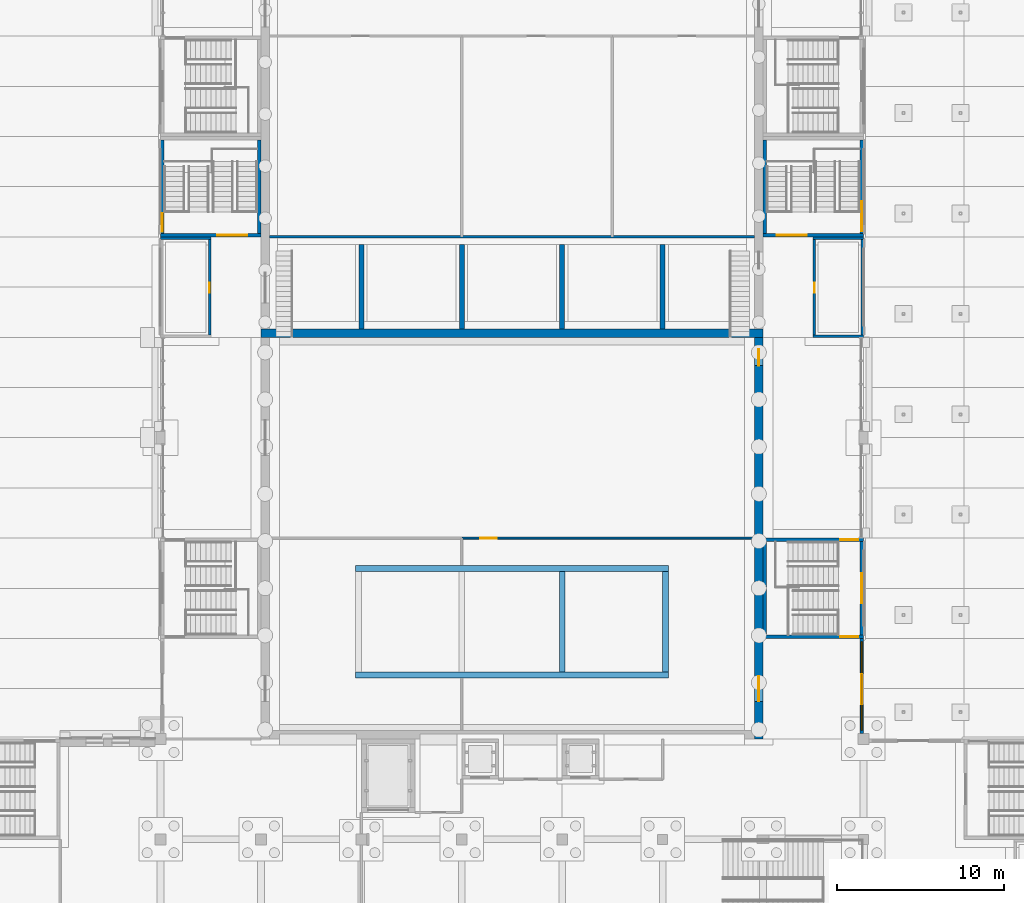
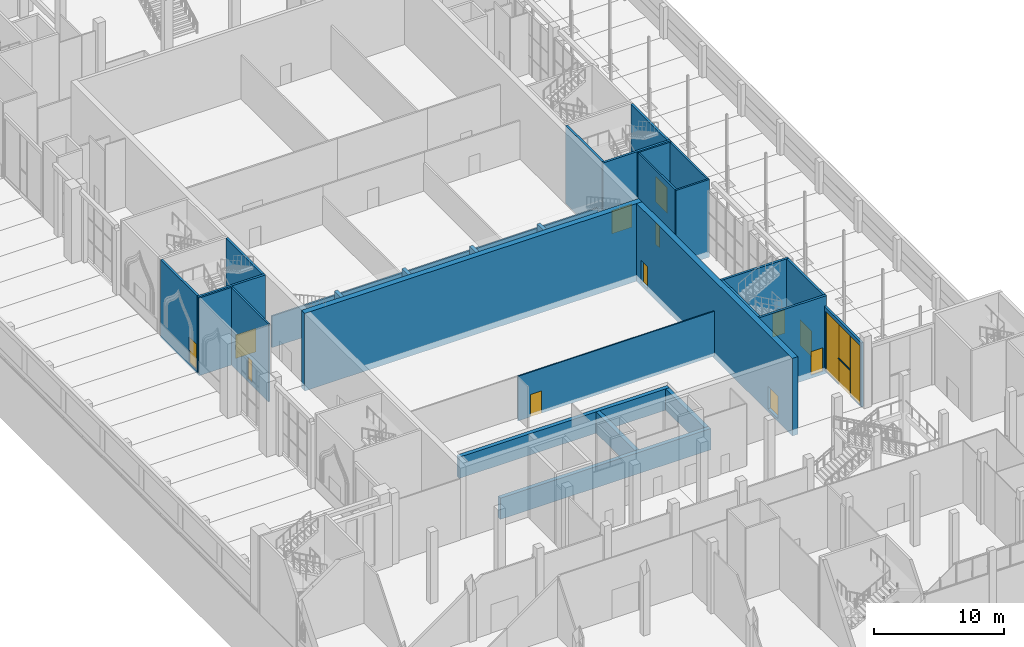
# One storey, part 44 of 95: 29 walls, 13 doors, 3 windows, 16 openings.
"""IFC4 building model written with IfcOpenShell, lengths in metres."""

from ifc_helpers import new_model, si_unit, direction, frame, frame_2d, origin, place, context, subcontext, project, spatial, rectangle, extrude, material, layer, layer_set, type_object, element, fill, save


model = new_model("IFC4")

# Units and contexts
model_context = context("Model", 3, precision=1e-05, world=origin(), true_north=direction((0.0, 1.0)))
body_context = subcontext(model_context, "Body", "Model", "MODEL_VIEW")
ifc_project = project(units=[si_unit("LENGTHUNIT", "METRE"), si_unit("AREAUNIT", "SQUARE_METRE"), si_unit("VOLUMEUNIT", "CUBIC_METRE"), si_unit("PLANEANGLEUNIT", "RADIAN"), si_unit("MASSUNIT", "GRAM", prefix="KILO")], contexts=[model_context])

# Site, building, storey
site_placement = place(None, origin())
site = spatial("IfcSite", under=ifc_project, at=site_placement, CompositionType="ELEMENT")
building_placement = place(site_placement, origin())
building = spatial("IfcBuilding", under=site, at=building_placement, Name="Saffron Lane Theatres", CompositionType="ELEMENT")
storey_placement = place(building_placement, origin())
storey = spatial("IfcBuildingStorey", under=building, at=storey_placement, Name="L00", CompositionType="ELEMENT", Elevation=0.0)

# Wall, openings, door, windows
ifc_material_1 = material(Name="Aluminium", Category="aluminium")
ifc_layer_1 = layer(ifc_material_1, 0.199951171875)
ifc_layer_set_1 = layer_set([ifc_layer_1], Name="Aluminium")
wall_type_1 = type_object("IfcWallType", Name="EX-SCREEN ALUMINIUM 200", PredefinedType="SOLIDWALL", material=ifc_layer_set_1)
wall_1_placement = place(storey_placement, frame((53.89990234375, 36.0, 0.0), z_axis=(0.0, 0.0, 1.0), x_axis=(0.0, -1.0, 0.0)))
wall_1 = element("IfcWall", 1, at=wall_1_placement, inside=storey, type_object=wall_type_1, Name="External wall L00 16", PredefinedType="SOLIDWALL", context=body_context, shape_type="SweptSolid", body=[
    extrude(rectangle(XDim=5.675048828125, YDim=0.199951171875, at=frame_2d((2.83740234375, 0.0))), origin(), (0.0, 0.0, 1.0), 6.050048828125),
])
opening_1_placement = place(wall_1_placement, frame((2.1298828125, 0.0, 0.0)))
opening_1 = element("IfcOpeningElement", 2, at=opening_1_placement, cuts=wall_1, Name="Opening ED00-07", PredefinedType="OPENING", context=body_context, shape_type="SweptSolid", body=[
    extrude(rectangle(XDim=1.800048828125, YDim=2.39990234375, at=frame_2d((0.89990234375, 1.199951171875))), frame((0.0, 0.10986328125, 0.0), z_axis=(0.0, -1.0, 0.0), x_axis=(1.0, 0.0, 0.0)), (0.0, 0.0, 1.0), 0.219970703125),
])
opening_2_placement = place(wall_1_placement, frame((2.1298828125, 0.0, 2.5)))
opening_2 = element("IfcOpeningElement", 3, at=opening_2_placement, cuts=wall_1, Name="Opening WN00-019", PredefinedType="OPENING", context=body_context, shape_type="SweptSolid", body=[
    extrude(rectangle(XDim=1.800048828125, YDim=3.199951171875, at=frame_2d((0.89990234375, 1.60009765625))), frame((0.0, 0.10986328125, 0.0), z_axis=(0.0, -1.0, 0.0), x_axis=(1.0, 0.0, 0.0)), (0.0, 0.0, 1.0), 0.219970703125),
])
opening_3_placement = place(wall_1_placement, frame((0.199951171875, 0.0, 0.10009765625)))
opening_3 = element("IfcOpeningElement", 4, at=opening_3_placement, cuts=wall_1, Name="Opening WN00-020", PredefinedType="OPENING", context=body_context, shape_type="SweptSolid", body=[
    extrude(rectangle(XDim=1.929931640625, YDim=5.60009765625, at=frame_2d((0.96484375, 2.800048828125))), frame((0.0, 0.10986328125, 0.0), z_axis=(0.0, -1.0, 0.0), x_axis=(1.0, 0.0, 0.0)), (0.0, 0.0, 1.0), 0.219970703125),
])
opening_4_placement = place(wall_1_placement, frame((3.929931640625, 0.0, 0.10009765625)))
opening_4 = element("IfcOpeningElement", 5, at=opening_4_placement, cuts=wall_1, Name="Opening WN00-021", PredefinedType="OPENING", context=body_context, shape_type="SweptSolid", body=[
    extrude(rectangle(XDim=1.544921875, YDim=5.60009765625, at=frame_2d((0.7724609375, 2.800048828125))), frame((0.0, 0.10986328125, 0.0), z_axis=(0.0, -1.0, 0.0), x_axis=(1.0, 0.0, 0.0)), (0.0, 0.0, 1.0), 0.219970703125),
])
ifc_material_2 = material(Name="Aluminium and glass door leaves", Category="aluminium")
door_type_1 = type_object("IfcDoorType", Name="EX-ENTRANCE DOOR PAIR 1800x2400", OperationType="DOUBLE_DOOR_SINGLE_SWING", PredefinedType="DOOR", material=ifc_material_2)
door_1_placement = place(opening_1_placement, origin())
door_1 = element("IfcDoor", 6, at=door_1_placement, inside=storey, type_object=door_type_1, Name="Stage Door Vestibule East door", OperationType="DOUBLE_DOOR_SINGLE_SWING", OverallHeight=2.39990234375, OverallWidth=1.800048828125, PredefinedType="DOOR", context=body_context, shape_type="SweptSolid", body=[
    extrude(rectangle(XDim=1.800048828125, YDim=2.39990234375, at=frame_2d((0.89990234375, 1.199951171875))), frame((0.0, 0.02490234375, 0.0), z_axis=(0.0, -1.0, 0.0), x_axis=(1.0, 0.0, 0.0)), (0.0, 0.0, 1.0), 0.050048828125),
])
fill(opening_1, door_1)
ifc_material_3 = material(Name="Aluminium", Category="aluminium")
window_type_1 = type_object("IfcWindowType", Name="EX-WINDOW 1545x5600", PartitioningType="SINGLE_PANEL", PredefinedType="WINDOW", material=ifc_material_3)
window_1_placement = place(opening_4_placement, origin())
window_1 = element("IfcWindow", 7, at=window_1_placement, inside=storey, type_object=window_type_1, Name="Window L00 021", OverallHeight=5.60009765625, OverallWidth=1.544921875, PartitioningType="SINGLE_PANEL", PredefinedType="WINDOW", context=body_context, shape_type="SweptSolid", body=[
    extrude(rectangle(XDim=1.544921875, YDim=5.60009765625, at=frame_2d((0.7724609375, 2.800048828125))), frame((0.0, 0.030029296875, 0.0), z_axis=(0.0, -1.0, 0.0), x_axis=(1.0, 0.0, 0.0)), (0.0, 0.0, 1.0), 0.06005859375),
])
fill(opening_4, window_1)
ifc_material_4 = material(Name="Aluminium", Category="aluminium")
window_type_2 = type_object("IfcWindowType", Name="EX-WINDOW 1800x3200", PartitioningType="SINGLE_PANEL", PredefinedType="WINDOW", material=ifc_material_4)
window_2_placement = place(opening_2_placement, origin())
window_2 = element("IfcWindow", 8, at=window_2_placement, inside=storey, type_object=window_type_2, Name="Window L00 019", OverallHeight=3.199951171875, OverallWidth=1.800048828125, PartitioningType="SINGLE_PANEL", PredefinedType="WINDOW", context=body_context, shape_type="SweptSolid", body=[
    extrude(rectangle(XDim=1.800048828125, YDim=3.199951171875, at=frame_2d((0.89990234375, 1.60009765625))), frame((0.0, 0.030029296875, 0.0), z_axis=(0.0, -1.0, 0.0), x_axis=(1.0, 0.0, 0.0)), (0.0, 0.0, 1.0), 0.06005859375),
])
fill(opening_2, window_2)
ifc_material_5 = material(Name="Aluminium", Category="aluminium")
window_type_3 = type_object("IfcWindowType", Name="EX-WINDOW 1930x5600", PartitioningType="SINGLE_PANEL", PredefinedType="WINDOW", material=ifc_material_5)
window_3_placement = place(opening_3_placement, origin())
window_3 = element("IfcWindow", 9, at=window_3_placement, inside=storey, type_object=window_type_3, Name="Window L00 020", OverallHeight=5.60009765625, OverallWidth=1.929931640625, PartitioningType="SINGLE_PANEL", PredefinedType="WINDOW", context=body_context, shape_type="SweptSolid", body=[
    extrude(rectangle(XDim=1.929931640625, YDim=5.60009765625, at=frame_2d((0.96484375, 2.800048828125))), frame((0.0, 0.030029296875, 0.0), z_axis=(0.0, -1.0, 0.0), x_axis=(1.0, 0.0, 0.0)), (0.0, 0.0, 1.0), 0.06005859375),
])
fill(opening_3, window_3)

# Wall, opening, door
ifc_material_6 = material(Name="Masonry block partition", Category="masonry")
ifc_layer_2 = layer(ifc_material_6, 0.110107421875)
ifc_layer_set_2 = layer_set([ifc_layer_2], Name="Masonry block partition")
wall_type_2 = type_object("IfcWallType", Name="IN-BLOCK PARTITION 110", PredefinedType="PARTITIONING", material=ifc_layer_set_2)
wall_2_placement = place(storey_placement, frame((30.0, 42.0, 0.0), z_axis=(0.0, 0.0, 1.0), x_axis=(1.0, 0.0, 0.0)))
wall_2 = element("IfcWall", 10, at=wall_2_placement, inside=storey, type_object=wall_type_2, Name="PW-L00-004", PredefinedType="PARTITIONING", context=body_context, shape_type="SweptSolid", body=[
    extrude(rectangle(XDim=17.47998046875, YDim=0.110107421875, at=frame_2d((8.739990234375, 0.0))), origin(), (0.0, 0.0, 1.0), 4.199951171875),
])
opening_5_placement = place(wall_2_placement, frame((1.10009765625, 0.0, 0.0)))
opening_5 = element("IfcOpeningElement", 11, at=opening_5_placement, cuts=wall_2, Name="Opening D00-66", PredefinedType="OPENING", context=body_context, shape_type="SweptSolid", body=[
    extrude(rectangle(XDim=1.0, YDim=2.10009765625, at=frame_2d((0.5, 1.050048828125))), frame((0.0, 0.06494140625, 0.0), z_axis=(0.0, -1.0, 0.0), x_axis=(1.0, 0.0, 0.0)), (0.0, 0.0, 1.0), 0.130126953125),
])
ifc_material_7 = material(Name="Steel faced fire door leaf", Category="steel")
door_type_2 = type_object("IfcDoorType", Name="IN-DOOR 1000x2100 FD60", OperationType="NOTDEFINED", PredefinedType="DOOR", material=ifc_material_7)
door_2_placement = place(opening_5_placement, origin())
door_2 = element("IfcDoor", 12, at=door_2_placement, inside=storey, type_object=door_type_2, Name="D00-66", OperationType="SINGLE_SWING_RIGHT", OverallHeight=2.10009765625, OverallWidth=1.0, PredefinedType="DOOR", context=body_context, shape_type="SweptSolid", body=[
    extrude(rectangle(XDim=1.0, YDim=2.10009765625, at=frame_2d((0.5, 1.050048828125))), frame((0.0, 0.02490234375, 0.0), z_axis=(0.0, -1.0, 0.0), x_axis=(1.0, 0.0, 0.0)), (0.0, 0.0, 1.0), 0.050048828125),
])
fill(opening_5, door_2)

# Walls
ifc_material_8 = material(Name="Masonry block partition", Category="masonry")
ifc_layer_3 = layer(ifc_material_8, 0.139892578125)
ifc_layer_set_3 = layer_set([ifc_layer_3], Name="Masonry block partition")
wall_type_3 = type_object("IfcWallType", Name="IN-BLOCK PARTITION 140", PredefinedType="PARTITIONING", material=ifc_layer_set_3)
wall_3_placement = place(storey_placement, frame((18.52001953125, 60.0, 0.0), z_axis=(0.0, 0.0, 1.0), x_axis=(1.0, 0.0, 0.0)))
element("IfcWall", 13, at=wall_3_placement, inside=storey, type_object=wall_type_3, Name="PW-L00-058", PredefinedType="PARTITIONING", context=body_context, shape_type="SweptSolid", body=[
    extrude(rectangle(XDim=28.9599609375, YDim=0.139892578125, at=frame_2d((14.47998046875, 0.0))), origin(), (0.0, 0.0, 1.0), 2.964111328125),
])
ifc_material_9 = material(Name="Concrete N50 (50 MPa)", Category="concrete")
ifc_layer_4 = layer(ifc_material_9, 0.14990234375)
ifc_layer_set_4 = layer_set([ifc_layer_4], Name="Concrete N50 (50 MPa)")
wall_type_4 = type_object("IfcWallType", Name="RC-CORE 150", PredefinedType="SHEAR", material=ifc_layer_set_4)
wall_4_placement = place(storey_placement, frame((12.0, 59.925048828125, -0.300048828125), z_axis=(0.0, 0.0, 1.0), x_axis=(1.0, 0.0, 0.0)))
element("IfcWall", 14, at=wall_4_placement, inside=storey, type_object=wall_type_4, Name="W-R3-N-L00", PredefinedType="SHEAR", context=body_context, shape_type="SweptSolid", body=[
    extrude(rectangle(XDim=3.0, YDim=0.14990234375, at=frame_2d((1.5, 0.0))), origin(), (0.0, 0.0, 1.0), 7.300048828125),
])

# Wall, opening, door
wall_5_placement = place(storey_placement, frame((14.925048828125, 54.14990234375, -0.300048828125), z_axis=(0.0, 0.0, 1.0), x_axis=(0.0, 1.0, 0.0)))
wall_5 = element("IfcWall", 15, at=wall_5_placement, inside=storey, type_object=wall_type_4, Name="W-R3-E-L00", PredefinedType="SHEAR", context=body_context, shape_type="SweptSolid", body=[
    extrude(rectangle(XDim=5.7001953125, YDim=0.14990234375, at=frame_2d((2.85009765625, 0.0))), origin(), (0.0, 0.0, 1.0), 7.300048828125),
])
opening_6_placement = place(wall_5_placement, frame((2.5, 0.0, 0.300048828125)))
opening_6 = element("IfcOpeningElement", 16, at=opening_6_placement, cuts=wall_5, Name="Opening D00-53", PredefinedType="OPENING", context=body_context, shape_type="SweptSolid", body=[
    extrude(rectangle(XDim=0.60009765625, YDim=2.0400390625, at=frame_2d((0.300048828125, 1.02001953125))), frame((0.0, 0.0849609375, 0.0), z_axis=(0.0, -1.0, 0.0), x_axis=(1.0, 0.0, 0.0)), (0.0, 0.0, 1.0), 0.169921875),
])
ifc_material_10 = material(Name="Steel faced fire door leaf", Category="steel")
door_type_3 = type_object("IfcDoorType", Name="IN-DOOR 600x2040 FD120", OperationType="NOTDEFINED", PredefinedType="DOOR", material=ifc_material_10)
door_3_placement = place(opening_6_placement, origin())
door_3 = element("IfcDoor", 17, at=door_3_placement, inside=storey, type_object=door_type_3, Name="D00-53", OperationType="SINGLE_SWING_RIGHT", OverallHeight=2.0400390625, OverallWidth=0.60009765625, PredefinedType="DOOR", context=body_context, shape_type="SweptSolid", body=[
    extrude(rectangle(XDim=0.60009765625, YDim=2.0400390625, at=frame_2d((0.300048828125, 1.02001953125))), frame((0.0, 0.02490234375, 0.0), z_axis=(0.0, -1.0, 0.0), x_axis=(1.0, 0.0, 0.0)), (0.0, 0.0, 1.0), 0.050048828125),
])
fill(opening_6, door_3)

# Walls
for number, where, z_axis, x_axis, name in (
    (18, (51.0, 59.925048828125, -0.300048828125), (0.0, 0.0, 1.0), (1.0, 0.0, 0.0), "W-R4-N-L00"),
    (19, (51.0, 54.074951171875, -0.300048828125), (0.0, 0.0, 1.0), (1.0, 0.0, 0.0), "W-R4-S-L00"),
):
    element("IfcWall", number, at=place(storey_placement, frame(where, z_axis=z_axis, x_axis=x_axis)), inside=storey, type_object=wall_type_4, Name=name, PredefinedType="SHEAR", context=body_context, shape_type="SweptSolid", body=[
        extrude(rectangle(XDim=3.0, YDim=0.14990234375, at=frame_2d((1.5, 0.0))), origin(), (0.0, 0.0, 1.0), 7.300048828125),
    ])

# Wall, opening, door
wall_6_placement = place(storey_placement, frame((51.074951171875, 54.14990234375, -0.300048828125), z_axis=(0.0, 0.0, 1.0), x_axis=(0.0, 1.0, 0.0)))
wall_6 = element("IfcWall", 20, at=wall_6_placement, inside=storey, type_object=wall_type_4, Name="W-R4-W-L00", PredefinedType="SHEAR", context=body_context, shape_type="SweptSolid", body=[
    extrude(rectangle(XDim=5.7001953125, YDim=0.14990234375, at=frame_2d((2.85009765625, 0.0))), origin(), (0.0, 0.0, 1.0), 7.300048828125),
])
opening_7_placement = place(wall_6_placement, frame((2.5, 0.0, 0.300048828125)))
opening_7 = element("IfcOpeningElement", 21, at=opening_7_placement, cuts=wall_6, Name="Opening D00-54", PredefinedType="OPENING", context=body_context, shape_type="SweptSolid", body=[
    extrude(rectangle(XDim=0.60009765625, YDim=2.0400390625, at=frame_2d((0.300048828125, 1.02001953125))), frame((0.0, 0.0849609375, 0.0), z_axis=(0.0, -1.0, 0.0), x_axis=(1.0, 0.0, 0.0)), (0.0, 0.0, 1.0), 0.169921875),
])
door_4_placement = place(opening_7_placement, frame((0.60009765625, 0.0, 0.0), z_axis=(0.0, 0.0, 1.0), x_axis=(-1.0, 0.0, 0.0)))
door_4 = element("IfcDoor", 22, at=door_4_placement, inside=storey, type_object=door_type_3, Name="D00-54", OperationType="SINGLE_SWING_LEFT", OverallHeight=2.0400390625, OverallWidth=0.60009765625, PredefinedType="DOOR", context=body_context, shape_type="SweptSolid", body=[
    extrude(rectangle(XDim=0.60009765625, YDim=2.0400390625, at=frame_2d((0.300048828125, 1.02001953125))), frame((0.0, 0.02490234375, 0.0), z_axis=(0.0, -1.0, 0.0), x_axis=(1.0, 0.0, 0.0)), (0.0, 0.0, 1.0), 0.050048828125),
])
fill(opening_7, door_4)

ifc_material_11 = material(Name="Concrete N50 (50 MPa)", Category="concrete")
ifc_layer_5 = layer(ifc_material_11, 0.199951171875)
ifc_layer_set_5 = layer_set([ifc_layer_5], Name="Concrete N50 (50 MPa)")
wall_type_5 = type_object("IfcWallType", Name="RC-CORE 200", PredefinedType="SHEAR", material=ifc_layer_set_5)
wall_7_placement = place(storey_placement, frame((12.0, 60.10009765625, -0.300048828125), z_axis=(0.0, 0.0, 1.0), x_axis=(1.0, 0.0, 0.0)))
wall_7 = element("IfcWall", 23, at=wall_7_placement, inside=storey, type_object=wall_type_5, Name="W-ST10-S-L00", PredefinedType="SHEAR", context=body_context, shape_type="SweptSolid", body=[
    extrude(rectangle(XDim=6.0, YDim=0.199951171875, at=frame_2d((3.0, 0.0))), origin(), (0.0, 0.0, 1.0), 7.300048828125),
])
opening_8_placement = place(wall_7_placement, frame((3.375, 0.0, 0.300048828125)))
opening_8 = element("IfcOpeningElement", 24, at=opening_8_placement, cuts=wall_7, Name="Opening D00-37", PredefinedType="OPENING", context=body_context, shape_type="SweptSolid", body=[
    extrude(rectangle(XDim=1.800048828125, YDim=2.199951171875, at=frame_2d((0.89990234375, 1.10009765625))), frame((0.0, 0.10986328125, 0.0), z_axis=(0.0, -1.0, 0.0), x_axis=(1.0, 0.0, 0.0)), (0.0, 0.0, 1.0), 0.219970703125),
])
ifc_material_12 = material(Name="Steel faced fire door leaf", Category="steel")
door_type_4 = type_object("IfcDoorType", Name="IN-DOOR 1800x2200 FD120", OperationType="DOUBLE_DOOR_SINGLE_SWING", PredefinedType="DOOR", material=ifc_material_12)
door_5_placement = place(opening_8_placement, origin())
door_5 = element("IfcDoor", 25, at=door_5_placement, inside=storey, type_object=door_type_4, Name="D00-37", OperationType="DOUBLE_DOOR_SINGLE_SWING", OverallHeight=2.199951171875, OverallWidth=1.800048828125, PredefinedType="DOOR", context=body_context, shape_type="SweptSolid", body=[
    extrude(rectangle(XDim=1.800048828125, YDim=2.199951171875, at=frame_2d((0.89990234375, 1.10009765625))), frame((0.0, 0.02490234375, 0.0), z_axis=(0.0, -1.0, 0.0), x_axis=(1.0, 0.0, 0.0)), (0.0, 0.0, 1.0), 0.050048828125),
])
fill(opening_8, door_5)

# Wall
wall_8_placement = place(storey_placement, frame((17.89990234375, 60.199951171875, -0.300048828125), z_axis=(0.0, 0.0, 1.0), x_axis=(0.0, 1.0, 0.0)))
element("IfcWall", 26, at=wall_8_placement, inside=storey, type_object=wall_type_5, Name="W-ST10-E-L00", PredefinedType="SHEAR", context=body_context, shape_type="SweptSolid", body=[
    extrude(rectangle(XDim=5.60009765625, YDim=0.199951171875, at=frame_2d((2.800048828125, 0.0))), origin(), (0.0, 0.0, 1.0), 7.300048828125),
])

# Wall, opening, door
wall_9_placement = place(storey_placement, frame((48.0, 60.10009765625, -0.300048828125), z_axis=(0.0, 0.0, 1.0), x_axis=(1.0, 0.0, 0.0)))
wall_9 = element("IfcWall", 27, at=wall_9_placement, inside=storey, type_object=wall_type_5, Name="W-ST11-S-L00", PredefinedType="SHEAR", context=body_context, shape_type="SweptSolid", body=[
    extrude(rectangle(XDim=6.0, YDim=0.199951171875, at=frame_2d((3.0, 0.0))), origin(), (0.0, 0.0, 1.0), 7.300048828125),
])
opening_9_placement = place(wall_9_placement, frame((0.824951171875, 0.0, 0.300048828125)))
opening_9 = element("IfcOpeningElement", 28, at=opening_9_placement, cuts=wall_9, Name="Opening D00-38", PredefinedType="OPENING", context=body_context, shape_type="SweptSolid", body=[
    extrude(rectangle(XDim=1.800048828125, YDim=2.199951171875, at=frame_2d((0.89990234375, 1.10009765625))), frame((0.0, 0.10986328125, 0.0), z_axis=(0.0, -1.0, 0.0), x_axis=(1.0, 0.0, 0.0)), (0.0, 0.0, 1.0), 0.219970703125),
])
door_6_placement = place(opening_9_placement, origin())
door_6 = element("IfcDoor", 29, at=door_6_placement, inside=storey, type_object=door_type_4, Name="D00-38", OperationType="DOUBLE_DOOR_SINGLE_SWING", OverallHeight=2.199951171875, OverallWidth=1.800048828125, PredefinedType="DOOR", context=body_context, shape_type="SweptSolid", body=[
    extrude(rectangle(XDim=1.800048828125, YDim=2.199951171875, at=frame_2d((0.89990234375, 1.10009765625))), frame((0.0, 0.02490234375, 0.0), z_axis=(0.0, -1.0, 0.0), x_axis=(1.0, 0.0, 0.0)), (0.0, 0.0, 1.0), 0.050048828125),
])
fill(opening_9, door_6)

# Wall
wall_10_placement = place(storey_placement, frame((48.10009765625, 60.199951171875, -0.300048828125), z_axis=(0.0, 0.0, 1.0), x_axis=(0.0, 1.0, 0.0)))
element("IfcWall", 30, at=wall_10_placement, inside=storey, type_object=wall_type_5, Name="W-ST11-W-L00", PredefinedType="SHEAR", context=body_context, shape_type="SweptSolid", body=[
    extrude(rectangle(XDim=5.60009765625, YDim=0.199951171875, at=frame_2d((2.800048828125, 0.0))), origin(), (0.0, 0.0, 1.0), 7.300048828125),
])

# Wall, opening, door
wall_11_placement = place(storey_placement, frame((48.0, 41.89990234375, -0.300048828125), z_axis=(0.0, 0.0, 1.0), x_axis=(1.0, 0.0, 0.0)))
wall_11 = element("IfcWall", 31, at=wall_11_placement, inside=storey, type_object=wall_type_5, Name="W-ST6-N-L00", PredefinedType="SHEAR", context=body_context, shape_type="SweptSolid", body=[
    extrude(rectangle(XDim=6.0, YDim=0.199951171875, at=frame_2d((3.0, 0.0))), origin(), (0.0, 0.0, 1.0), 7.300048828125),
])
opening_10_placement = place(wall_11_placement, frame((4.60009765625, 0.0, 0.300048828125)))
opening_10 = element("IfcOpeningElement", 32, at=opening_10_placement, cuts=wall_11, Name="Opening D00-42", PredefinedType="OPENING", context=body_context, shape_type="SweptSolid", body=[
    extrude(rectangle(XDim=1.10009765625, YDim=2.199951171875, at=frame_2d((0.550048828125, 1.10009765625))), frame((0.0, 0.10986328125, 0.0), z_axis=(0.0, -1.0, 0.0), x_axis=(1.0, 0.0, 0.0)), (0.0, 0.0, 1.0), 0.219970703125),
])
ifc_material_13 = material(Name="Steel faced fire door leaf", Category="steel")
door_type_5 = type_object("IfcDoorType", Name="IN-DOOR 1100x2200 FD120", OperationType="NOTDEFINED", PredefinedType="DOOR", material=ifc_material_13)
door_7_placement = place(opening_10_placement, frame((1.10009765625, 0.0, 0.0), z_axis=(0.0, 0.0, 1.0), x_axis=(-1.0, 0.0, 0.0)))
door_7 = element("IfcDoor", 33, at=door_7_placement, inside=storey, type_object=door_type_5, Name="D00-42", OperationType="SINGLE_SWING_RIGHT", OverallHeight=2.199951171875, OverallWidth=1.10009765625, PredefinedType="DOOR", context=body_context, shape_type="SweptSolid", body=[
    extrude(rectangle(XDim=1.10009765625, YDim=2.199951171875, at=frame_2d((0.550048828125, 1.10009765625))), frame((0.0, 0.02490234375, 0.0), z_axis=(0.0, -1.0, 0.0), x_axis=(1.0, 0.0, 0.0)), (0.0, 0.0, 1.0), 0.050048828125),
])
fill(opening_10, door_7)

wall_12_placement = place(storey_placement, frame((48.0, 36.10009765625, -0.300048828125), z_axis=(0.0, 0.0, 1.0), x_axis=(1.0, 0.0, 0.0)))
wall_12 = element("IfcWall", 34, at=wall_12_placement, inside=storey, type_object=wall_type_5, Name="W-ST6-S-L00", PredefinedType="SHEAR", context=body_context, shape_type="SweptSolid", body=[
    extrude(rectangle(XDim=6.0, YDim=0.199951171875, at=frame_2d((3.0, 0.0))), origin(), (0.0, 0.0, 1.0), 7.300048828125),
])
opening_11_placement = place(wall_12_placement, frame((4.60009765625, 0.0, 0.300048828125)))
opening_11 = element("IfcOpeningElement", 35, at=opening_11_placement, cuts=wall_12, Name="Opening D00-41", PredefinedType="OPENING", context=body_context, shape_type="SweptSolid", body=[
    extrude(rectangle(XDim=1.10009765625, YDim=2.199951171875, at=frame_2d((0.550048828125, 1.10009765625))), frame((0.0, 0.10986328125, 0.0), z_axis=(0.0, -1.0, 0.0), x_axis=(1.0, 0.0, 0.0)), (0.0, 0.0, 1.0), 0.219970703125),
])
door_8_placement = place(opening_11_placement, origin())
door_8 = element("IfcDoor", 36, at=door_8_placement, inside=storey, type_object=door_type_5, Name="D00-41", OperationType="SINGLE_SWING_LEFT", OverallHeight=2.199951171875, OverallWidth=1.10009765625, PredefinedType="DOOR", context=body_context, shape_type="SweptSolid", body=[
    extrude(rectangle(XDim=1.10009765625, YDim=2.199951171875, at=frame_2d((0.550048828125, 1.10009765625))), frame((0.0, 0.02490234375, 0.0), z_axis=(0.0, -1.0, 0.0), x_axis=(1.0, 0.0, 0.0)), (0.0, 0.0, 1.0), 0.050048828125),
])
fill(opening_11, door_8)

# Walls
wall_13_placement = place(storey_placement, frame((48.10009765625, 36.199951171875, -0.300048828125), z_axis=(0.0, 0.0, 1.0), x_axis=(0.0, 1.0, 0.0)))
element("IfcWall", 37, at=wall_13_placement, inside=storey, type_object=wall_type_5, Name="W-ST6-W-L00", PredefinedType="SHEAR", context=body_context, shape_type="SweptSolid", body=[
    extrude(rectangle(XDim=5.60009765625, YDim=0.199951171875, at=frame_2d((2.800048828125, 0.0))), origin(), (0.0, 0.0, 1.0), 7.300048828125),
])
ifc_material_14 = material(Name="Concrete N50 (50 MPa)", Category="concrete")
ifc_layer_6 = layer(ifc_material_14, 0.14990234375)
ifc_layer_set_6 = layer_set([ifc_layer_6], Name="Concrete N50 (50 MPa)")
wall_type_6 = type_object("IfcWallType", Name="RC-CORE EXTERNAL 150", PredefinedType="SHEAR", material=ifc_layer_set_6)
wall_14_placement = place(storey_placement, frame((53.925048828125, 54.14990234375, -0.300048828125), z_axis=(0.0, 0.0, 1.0), x_axis=(0.0, 1.0, 0.0)))
element("IfcWall", 38, at=wall_14_placement, inside=storey, type_object=wall_type_6, Name="W-R4-E-L00", PredefinedType="SHEAR", context=body_context, shape_type="SweptSolid", body=[
    extrude(rectangle(XDim=5.7001953125, YDim=0.14990234375, at=frame_2d((2.85009765625, 0.0))), origin(), (0.0, 0.0, 1.0), 7.300048828125),
])

# Wall, opening, door
ifc_material_15 = material(Name="Concrete N50 (50 MPa)", Category="concrete")
ifc_layer_7 = layer(ifc_material_15, 0.199951171875)
ifc_layer_set_7 = layer_set([ifc_layer_7], Name="Concrete N50 (50 MPa)")
wall_type_7 = type_object("IfcWallType", Name="RC-CORE EXTERNAL 200", PredefinedType="SHEAR", material=ifc_layer_set_7)
wall_15_placement = place(storey_placement, frame((12.10009765625, 60.199951171875, -0.300048828125), z_axis=(0.0, 0.0, 1.0), x_axis=(0.0, 1.0, 0.0)))
wall_15 = element("IfcWall", 39, at=wall_15_placement, inside=storey, type_object=wall_type_7, Name="W-ST10-W-L00", PredefinedType="SHEAR", context=body_context, shape_type="SweptSolid", body=[
    extrude(rectangle(XDim=5.60009765625, YDim=0.199951171875, at=frame_2d((2.800048828125, 0.0))), origin(), (0.0, 0.0, 1.0), 7.300048828125),
])
opening_12_placement = place(wall_15_placement, frame((0.10009765625, 0.0, 0.300048828125)))
opening_12 = element("IfcOpeningElement", 40, at=opening_12_placement, cuts=wall_15, Name="Opening EDST10", PredefinedType="OPENING", context=body_context, shape_type="SweptSolid", body=[
    extrude(rectangle(XDim=1.10009765625, YDim=2.39990234375, at=frame_2d((0.550048828125, 1.199951171875))), frame((0.0, 0.10986328125, 0.0), z_axis=(0.0, -1.0, 0.0), x_axis=(1.0, 0.0, 0.0)), (0.0, 0.0, 1.0), 0.219970703125),
])
ifc_material_16 = material(Name="Steel faced fire door leaf", Category="steel")
door_type_6 = type_object("IfcDoorType", Name="EX-EXIT DOOR PAIR 1800x2400", OperationType="DOUBLE_DOOR_SINGLE_SWING", PredefinedType="DOOR", material=ifc_material_16)
door_9_placement = place(opening_12_placement, origin())
door_9 = element("IfcDoor", 41, at=door_9_placement, inside=storey, type_object=door_type_6, Name="Exit door ST10", OperationType="DOUBLE_DOOR_SINGLE_SWING", OverallHeight=2.39990234375, OverallWidth=1.10009765625, PredefinedType="DOOR", context=body_context, shape_type="SweptSolid", body=[
    extrude(rectangle(XDim=1.10009765625, YDim=2.39990234375, at=frame_2d((0.550048828125, 1.199951171875))), frame((0.0, 0.02490234375, 0.0), z_axis=(0.0, -1.0, 0.0), x_axis=(1.0, 0.0, 0.0)), (0.0, 0.0, 1.0), 0.050048828125),
])
fill(opening_12, door_9)

wall_16_placement = place(storey_placement, frame((53.89990234375, 60.199951171875, -0.300048828125), z_axis=(0.0, 0.0, 1.0), x_axis=(0.0, 1.0, 0.0)))
wall_16 = element("IfcWall", 42, at=wall_16_placement, inside=storey, type_object=wall_type_7, Name="W-ST11-E-L00", PredefinedType="SHEAR", context=body_context, shape_type="SweptSolid", body=[
    extrude(rectangle(XDim=5.60009765625, YDim=0.199951171875, at=frame_2d((2.800048828125, 0.0))), origin(), (0.0, 0.0, 1.0), 7.300048828125),
])
opening_13_placement = place(wall_16_placement, frame((0.125, 0.0, 0.300048828125)))
opening_13 = element("IfcOpeningElement", 43, at=opening_13_placement, cuts=wall_16, Name="Opening EDST11", PredefinedType="OPENING", context=body_context, shape_type="SweptSolid", body=[
    extrude(rectangle(XDim=1.800048828125, YDim=2.39990234375, at=frame_2d((0.89990234375, 1.199951171875))), frame((0.0, 0.10986328125, 0.0), z_axis=(0.0, -1.0, 0.0), x_axis=(1.0, 0.0, 0.0)), (0.0, 0.0, 1.0), 0.219970703125),
])
door_10_placement = place(opening_13_placement, frame((1.800048828125, 0.0, 0.0), z_axis=(0.0, 0.0, 1.0), x_axis=(-1.0, 0.0, 0.0)))
door_10 = element("IfcDoor", 44, at=door_10_placement, inside=storey, type_object=door_type_6, Name="Exit door ST11", OperationType="DOUBLE_DOOR_SINGLE_SWING", OverallHeight=2.39990234375, OverallWidth=1.800048828125, PredefinedType="DOOR", context=body_context, shape_type="SweptSolid", body=[
    extrude(rectangle(XDim=1.800048828125, YDim=2.39990234375, at=frame_2d((0.89990234375, 1.199951171875))), frame((0.0, 0.02490234375, 0.0), z_axis=(0.0, -1.0, 0.0), x_axis=(1.0, 0.0, 0.0)), (0.0, 0.0, 1.0), 0.050048828125),
])
fill(opening_13, door_10)

wall_17_placement = place(storey_placement, frame((53.89990234375, 36.199951171875, -0.300048828125), z_axis=(0.0, 0.0, 1.0), x_axis=(0.0, 1.0, 0.0)))
wall_17 = element("IfcWall", 45, at=wall_17_placement, inside=storey, type_object=wall_type_7, Name="W-ST6-E-L00", PredefinedType="SHEAR", context=body_context, shape_type="SweptSolid", body=[
    extrude(rectangle(XDim=5.60009765625, YDim=0.199951171875, at=frame_2d((2.800048828125, 0.0))), origin(), (0.0, 0.0, 1.0), 7.300048828125),
])
opening_14_placement = place(wall_17_placement, frame((1.89990234375, 0.0, 0.300048828125)))
opening_14 = element("IfcOpeningElement", 46, at=opening_14_placement, cuts=wall_17, Name="Opening EDST6", PredefinedType="OPENING", context=body_context, shape_type="SweptSolid", body=[
    extrude(rectangle(XDim=1.800048828125, YDim=2.39990234375, at=frame_2d((0.89990234375, 1.199951171875))), frame((0.0, 0.10986328125, 0.0), z_axis=(0.0, -1.0, 0.0), x_axis=(1.0, 0.0, 0.0)), (0.0, 0.0, 1.0), 0.219970703125),
])
door_11_placement = place(opening_14_placement, frame((1.800048828125, 0.0, 0.0), z_axis=(0.0, 0.0, 1.0), x_axis=(-1.0, 0.0, 0.0)))
door_11 = element("IfcDoor", 47, at=door_11_placement, inside=storey, type_object=door_type_6, Name="Exit door ST6", OperationType="DOUBLE_DOOR_SINGLE_SWING", OverallHeight=2.39990234375, OverallWidth=1.800048828125, PredefinedType="DOOR", context=body_context, shape_type="SweptSolid", body=[
    extrude(rectangle(XDim=1.800048828125, YDim=2.39990234375, at=frame_2d((0.89990234375, 1.199951171875))), frame((0.0, 0.02490234375, 0.0), z_axis=(0.0, -1.0, 0.0), x_axis=(1.0, 0.0, 0.0)), (0.0, 0.0, 1.0), 0.050048828125),
])
fill(opening_14, door_11)

# Walls
ifc_material_17 = material(Name="Concrete N50 (50 MPa)", Category="concrete")
ifc_layer_8 = layer(ifc_material_17, 0.5)
ifc_layer_set_8 = layer_set([ifc_layer_8], Name="Concrete N50 (50 MPa)")
wall_type_8 = type_object("IfcWallType", Name="RC-PROSCENIUM 500", PredefinedType="SHEAR", material=ifc_layer_set_8)
wall_18_placement = place(storey_placement, frame((18.0, 54.25, -0.300048828125), z_axis=(0.0, 0.0, 1.0), x_axis=(1.0, 0.0, 0.0)))
element("IfcWall", 48, at=wall_18_placement, inside=storey, type_object=wall_type_8, Name="W-PROSC-L00-A", PredefinedType="SHEAR", context=body_context, shape_type="SweptSolid", body=[
    extrude(rectangle(XDim=30.0, YDim=0.5, at=frame_2d((15.0, 0.0))), origin(), (0.0, 0.0, 1.0), 7.300048828125),
])
ifc_material_18 = material(Name="Concrete N50 (50 MPa)", Category="concrete")
ifc_layer_9 = layer(ifc_material_18, 0.300048828125)
ifc_layer_set_9 = layer_set([ifc_layer_9], Name="Concrete N50 (50 MPa)")
wall_type_9 = type_object("IfcWallType", Name="RC-WALL 300", PredefinedType="SHEAR", material=ifc_layer_set_9)
for number, where, z_axis, x_axis, name in (
    (49, (24.0, 54.5, -0.300048828125), (0.0, 0.0, 1.0), (0.0, 1.0, 0.0), "W-PIT-24-L00"),
    (50, (30.0, 54.5, -0.300048828125), (0.0, 0.0, 1.0), (0.0, 1.0, 0.0), "W-PIT-30-L00"),
    (51, (36.0, 54.5, -0.300048828125), (0.0, 0.0, 1.0), (0.0, 1.0, 0.0), "W-PIT-36-L00"),
    (52, (42.0, 54.5, -0.300048828125), (0.0, 0.0, 1.0), (0.0, 1.0, 0.0), "W-PIT-42-L00"),
):
    element("IfcWall", number, at=place(storey_placement, frame(where, z_axis=z_axis, x_axis=x_axis)), inside=storey, type_object=wall_type_9, Name=name, PredefinedType="SHEAR", context=body_context, shape_type="SweptSolid", body=[
        extrude(rectangle(XDim=5.050048828125, YDim=0.300048828125, at=frame_2d((2.52490234375, 0.0))), origin(), (0.0, 0.0, 1.0), 4.0),
    ])
ifc_material_19 = material(Name="Concrete N50 (50 MPa)", Category="concrete")
ifc_layer_10 = layer(ifc_material_19, 0.35009765625)
ifc_layer_set_10 = layer_set([ifc_layer_10], Name="Concrete N50 (50 MPa)")
wall_type_10 = type_object("IfcWallType", Name="RC-WALL 350", PredefinedType="SHEAR", material=ifc_layer_set_10)
for number, where, z_axis, x_axis, name in (
    (53, (23.64990234375, 40.175048828125, -2.0), (0.0, 0.0, 1.0), (1.0, 0.0, 0.0), "W-STAGELIFT-N-L00"),
    (54, (23.64990234375, 33.824951171875, -2.0), (0.0, 0.0, 1.0), (1.0, 0.0, 0.0), "W-STAGELIFT-S-L00"),
):
    element("IfcWall", number, at=place(storey_placement, frame(where, z_axis=z_axis, x_axis=x_axis)), inside=storey, type_object=wall_type_10, Name=name, PredefinedType="SHEAR", context=body_context, shape_type="SweptSolid", body=[
        extrude(rectangle(XDim=18.7001953125, YDim=0.35009765625, at=frame_2d((9.35009765625, 0.0))), origin(), (0.0, 0.0, 1.0), 2.0),
    ])
for number, where, z_axis, x_axis, name in (
    (55, (42.175048828125, 34.0, -2.0), (0.0, 0.0, 1.0), (0.0, 1.0, 0.0), "W-STAGELIFT-E-L00"),
    (56, (36.0, 34.0, -2.0), (0.0, 0.0, 1.0), (0.0, 1.0, 0.0), "W-STAGELIFT-D2-L00"),
):
    element("IfcWall", number, at=place(storey_placement, frame(where, z_axis=z_axis, x_axis=x_axis)), inside=storey, type_object=wall_type_10, Name=name, PredefinedType="SHEAR", context=body_context, shape_type="SweptSolid", body=[
        extrude(rectangle(XDim=6.0, YDim=0.35009765625, at=frame_2d((3.0, 0.0))), origin(), (0.0, 0.0, 1.0), 2.0),
    ])

# Wall, openings, doors
ifc_material_20 = material(Name="Concrete N50 (50 MPa)", Category="concrete")
ifc_layer_11 = layer(ifc_material_20, 0.5)
ifc_layer_set_11 = layer_set([ifc_layer_11], Name="Concrete N50 (50 MPa)")
wall_type_11 = type_object("IfcWallType", Name="RC-WALL 500", PredefinedType="SHEAR", material=ifc_layer_set_11)
wall_19_placement = place(storey_placement, frame((47.75, 30.0, -0.300048828125), z_axis=(0.0, 0.0, 1.0), x_axis=(0.0, 1.0, 0.0)))
wall_19 = element("IfcWall", 57, at=wall_19_placement, inside=storey, type_object=wall_type_11, Name="W-STGS-E-L00", PredefinedType="SHEAR", context=body_context, shape_type="SweptSolid", body=[
    extrude(rectangle(XDim=24.0, YDim=0.5, at=frame_2d((12.0, 0.0))), origin(), (0.0, 0.0, 1.0), 7.300048828125),
])
opening_15_placement = place(wall_19_placement, frame((2.25, 0.0, 0.300048828125)))
opening_15 = element("IfcOpeningElement", 58, at=opening_15_placement, cuts=wall_19, Name="Opening D00-18", PredefinedType="OPENING", context=body_context, shape_type="SweptSolid", body=[
    extrude(rectangle(XDim=1.5, YDim=2.10009765625, at=frame_2d((0.75, 1.050048828125))), frame((0.0, 0.260009765625, 0.0), z_axis=(0.0, -1.0, 0.0), x_axis=(1.0, 0.0, 0.0)), (0.0, 0.0, 1.0), 0.52001953125),
])
opening_16_placement = place(wall_19_placement, frame((22.300048828125, 0.0, 0.300048828125)))
opening_16 = element("IfcOpeningElement", 59, at=opening_16_placement, cuts=wall_19, Name="Opening D00-65", PredefinedType="OPENING", context=body_context, shape_type="SweptSolid", body=[
    extrude(rectangle(XDim=1.0, YDim=2.10009765625, at=frame_2d((0.5, 1.050048828125))), frame((0.0, 0.260009765625, 0.0), z_axis=(0.0, -1.0, 0.0), x_axis=(1.0, 0.0, 0.0)), (0.0, 0.0, 1.0), 0.52001953125),
])
ifc_material_21 = material(Name="Steel faced fire door leaf", Category="steel")
door_type_7 = type_object("IfcDoorType", Name="IN-DOOR 1000x2100 FD120", OperationType="NOTDEFINED", PredefinedType="DOOR", material=ifc_material_21)
door_12_placement = place(opening_16_placement, frame((1.0, 0.0, 0.0), z_axis=(0.0, 0.0, 1.0), x_axis=(-1.0, 0.0, 0.0)))
door_12 = element("IfcDoor", 60, at=door_12_placement, inside=storey, type_object=door_type_7, Name="D00-65", OperationType="SINGLE_SWING_LEFT", OverallHeight=2.10009765625, OverallWidth=1.0, PredefinedType="DOOR", context=body_context, shape_type="SweptSolid", body=[
    extrude(rectangle(XDim=1.0, YDim=2.10009765625, at=frame_2d((0.5, 1.050048828125))), frame((0.0, 0.02490234375, 0.0), z_axis=(0.0, -1.0, 0.0), x_axis=(1.0, 0.0, 0.0)), (0.0, 0.0, 1.0), 0.050048828125),
])
fill(opening_16, door_12)
ifc_material_22 = material(Name="Steel faced fire door leaf", Category="steel")
door_type_8 = type_object("IfcDoorType", Name="IN-DOOR 1500x2100 FD120", OperationType="DOUBLE_DOOR_SINGLE_SWING", PredefinedType="DOOR", material=ifc_material_22)
door_13_placement = place(opening_15_placement, frame((1.5, 0.0, 0.0), z_axis=(0.0, 0.0, 1.0), x_axis=(-1.0, 0.0, 0.0)))
door_13 = element("IfcDoor", 61, at=door_13_placement, inside=storey, type_object=door_type_8, Name="D00-18", OperationType="DOUBLE_DOOR_SINGLE_SWING", OverallHeight=2.10009765625, OverallWidth=1.5, PredefinedType="DOOR", context=body_context, shape_type="SweptSolid", body=[
    extrude(rectangle(XDim=1.5, YDim=2.10009765625, at=frame_2d((0.75, 1.050048828125))), frame((0.0, 0.02490234375, 0.0), z_axis=(0.0, -1.0, 0.0), x_axis=(1.0, 0.0, 0.0)), (0.0, 0.0, 1.0), 0.050048828125),
])
fill(opening_15, door_13)

save(model, "model.ifc")
